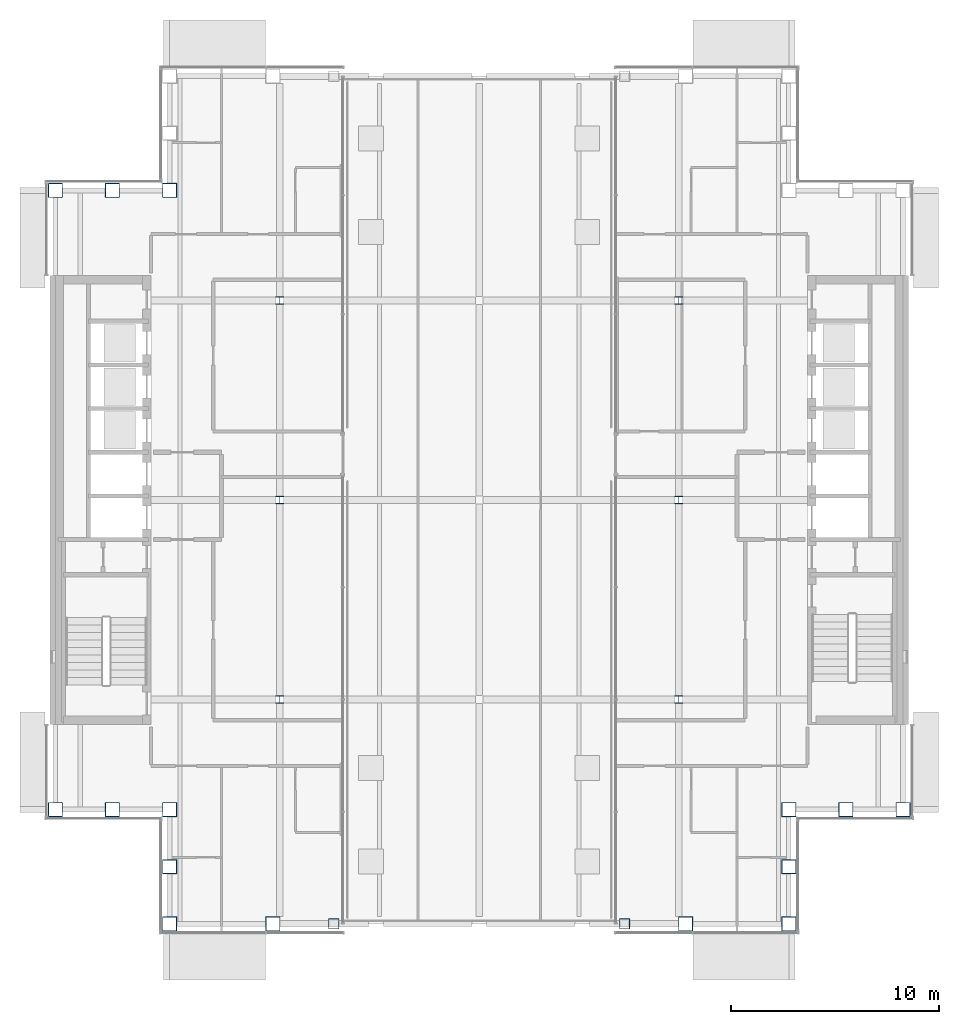
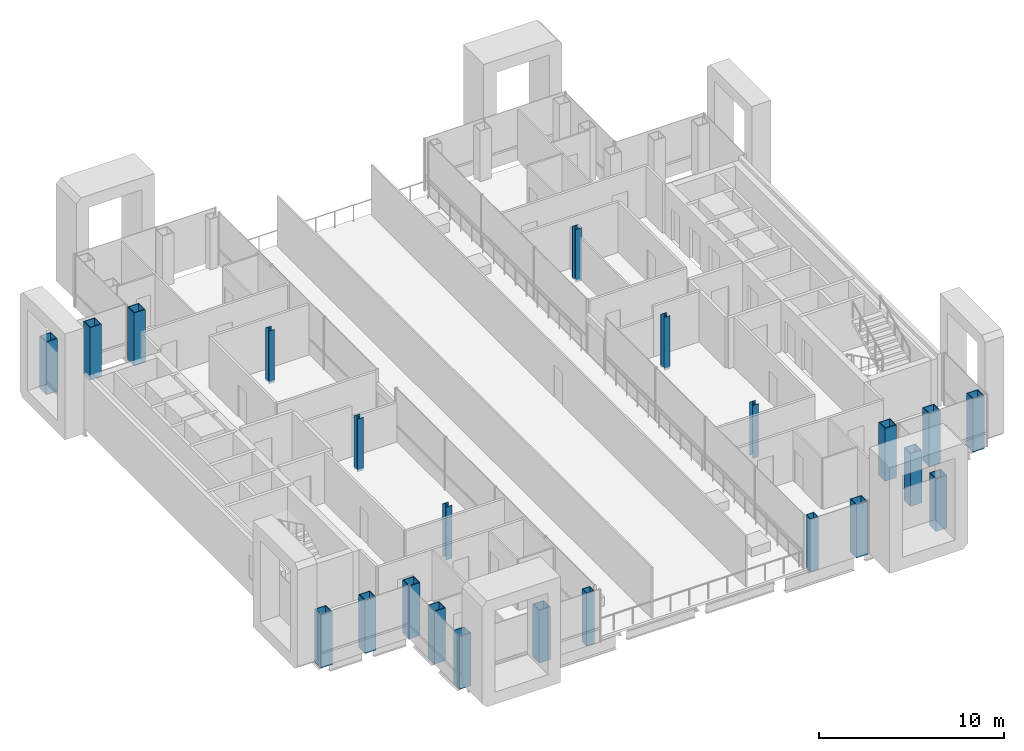
# One storey, part 1 of 17: 23 columns.
"""IFC4 building model written with IfcOpenShell, lengths in metres."""

import ifcopenshell
import ifcopenshell.guid

model = None  # the IFC model being written
_history = None  # IfcOwnerHistory: only IFC2X3 demands one
_inside = {}  # id of a spatial element -> (the spatial element, [elements in it])
_under = {}  # id of a project, library or spatial element -> (it, [spatial elements below it])
_declared = {}  # id of a project -> (the project, [libraries it declares])
_typed = {}  # id of a type object -> (the type object, [elements of that type])
_made_of = {}  # id of a material, layer set ... -> (it, [elements and type objects made of it])


def new_model(schema):
    """Start an empty IFC model of exactly this schema.

    Asked for "IFC4X3", IfcOpenShell would pick the latest addendum, in which some entities
    have other attributes; the version numbers below select the first issue.
    IFC2X3 requires an IfcOwnerHistory on every rooted entity: one is made here for all.
    """
    global model, _history
    if schema == "IFC4X3":
        model = ifcopenshell.file(schema_version=(4, 3, 0, 0))
    else:
        model = ifcopenshell.file(schema=schema)
    _inside.clear()
    _under.clear()
    _declared.clear()
    _typed.clear()
    _made_of.clear()
    _history = None
    if model.schema == "IFC2X3":
        org = make("IfcOrganization", Name="unknown")
        user = make(
            "IfcPersonAndOrganization",
            ThePerson=make("IfcPerson", FamilyName="unknown"),
            TheOrganization=org,
        )
        app = make(
            "IfcApplication",
            ApplicationDeveloper=org,
            Version="unknown",
            ApplicationFullName="unknown",
            ApplicationIdentifier="unknown",
        )
        _history = make(
            "IfcOwnerHistory",
            OwningUser=user,
            OwningApplication=app,
            ChangeAction="ADDED",
            CreationDate=0,
        )
    return model


def make(cls, **values):
    """One entity of the class cls with the attributes given. An attribute that is None is left unset."""
    return model.create_entity(
        cls, **{name: value for name, value in values.items() if value is not None}
    )


def rooted(cls, **values):
    """An entity with a GlobalId (a new one), such as an element, a storey or a relation."""
    return make(cls, GlobalId=ifcopenshell.guid.new(), OwnerHistory=_history, **values)


def si_unit(unit_type, name, prefix=None):
    """IfcSIUnit, for example si_unit("LENGTHUNIT", "METRE", prefix="MILLI")."""
    return make("IfcSIUnit", UnitType=unit_type, Prefix=prefix, Name=name)


def assignment(units):
    """IfcUnitAssignment: the units of a project."""
    return None if units is None else make("IfcUnitAssignment", Units=units)


def point(xyz):
    """IfcCartesianPoint."""
    return None if xyz is None else make("IfcCartesianPoint", Coordinates=xyz)


def direction(xyz):
    """IfcDirection."""
    return None if xyz is None else make("IfcDirection", DirectionRatios=xyz)


def frame(location, z_axis=None, x_axis=None):
    """IfcAxis2Placement3D, a coordinate frame: its origin and axes. An axis left out is left unset."""
    return make(
        "IfcAxis2Placement3D",
        Location=point(location),
        Axis=direction(z_axis),
        RefDirection=direction(x_axis),
    )


def frame_2d(location, x_axis=None):
    """IfcAxis2Placement2D, a coordinate frame in the plane: its origin and x axis."""
    return make(
        "IfcAxis2Placement2D", Location=point(location), RefDirection=direction(x_axis)
    )


def origin():
    """The frame at (0, 0, 0) with its axes left unset."""
    return frame((0.0, 0.0, 0.0))


def origin_2d():
    """The frame at (0, 0) in the plane with its x axis left unset."""
    return frame_2d((0.0, 0.0))


def place(relative_to, where):
    """IfcLocalPlacement: puts the frame where relative to a parent placement (None: the world)."""
    return make(
        "IfcLocalPlacement", PlacementRelTo=relative_to, RelativePlacement=where
    )


def context(
    kind, dimensions, precision=None, world=None, true_north=None, identifier=None
):
    """IfcGeometricRepresentationContext, for example the 3D "Model" context."""
    return make(
        "IfcGeometricRepresentationContext",
        ContextIdentifier=identifier,
        ContextType=kind,
        CoordinateSpaceDimension=dimensions,
        Precision=precision,
        WorldCoordinateSystem=world,
        TrueNorth=true_north,
    )


def subcontext(parent, identifier, kind, view, scale=None):
    """IfcGeometricRepresentationSubContext, for example "Body" below "Model"."""
    return make(
        "IfcGeometricRepresentationSubContext",
        ContextIdentifier=identifier,
        ContextType=kind,
        ParentContext=parent,
        TargetScale=scale,
        TargetView=view,
    )


def project(units=None, contexts=None):
    """IfcProject with its units and contexts."""
    return rooted(
        "IfcProject",
        Name="project",
        RepresentationContexts=contexts,
        UnitsInContext=assignment(units),
    )


def spatial(cls, under=None, at=None, **own):
    """A site, building, storey or space (cls), placed at a placement, below another one or the project."""
    s = rooted(cls, ObjectPlacement=at, **own)
    if under is not None:
        _under.setdefault(under.id(), (under, []))[1].append(s)
    return s


def profile(cls, at=None, kind="AREA", **sizes):
    """A parametric profile (cls). Its sizes go by their IFC names, for example OverallWidth=200.0."""
    return make(cls, ProfileType=kind, Position=at, **sizes)


def hollow_rectangle(**sizes):
    """IfcRectangleHollowProfileDef."""
    return profile("IfcRectangleHollowProfileDef", **sizes)


def i_section(**sizes):
    """IfcIShapeProfileDef."""
    return profile("IfcIShapeProfileDef", **sizes)


def extrude(swept, where, along, depth):
    """IfcExtrudedAreaSolid: the profile swept, set in the frame where, extruded along a direction by depth."""
    return make(
        "IfcExtrudedAreaSolid",
        SweptArea=swept,
        Position=where,
        ExtrudedDirection=direction(along),
        Depth=depth,
    )


def shape(context_of_items, identifier, shape_type, items):
    """IfcShapeRepresentation: the items that make up one representation, for example the "Body"."""
    return make(
        "IfcShapeRepresentation",
        ContextOfItems=context_of_items,
        RepresentationIdentifier=identifier,
        RepresentationType=shape_type,
        Items=items,
    )


def material(Name=None, Category=None):
    """IfcMaterial."""
    return make("IfcMaterial", Name=Name, Category=Category)


def material_profile(
    of_material, cross_section, Name=None, Category=None, Priority=None
):
    """IfcMaterialProfile: a cross section and its material."""
    return make(
        "IfcMaterialProfile",
        Name=Name,
        Material=of_material,
        Profile=cross_section,
        Priority=Priority,
        Category=Category,
    )


def profile_set(profiles, Name=None, composite=None):
    """IfcMaterialProfileSet."""
    return make(
        "IfcMaterialProfileSet",
        Name=Name,
        MaterialProfiles=profiles,
        CompositeProfile=composite,
    )


def made_of(thing, what):
    """Note that an element or type object is made of a material, layer set ...; save() writes the relation."""
    if what is not None:
        _made_of.setdefault(what.id(), (what, []))[1].append(thing)
    return thing


def type_object(cls, material=None, **own):
    """A type object (cls), such as IfcWallType, which elements share."""
    return made_of(rooted(cls, **own), material)


def element(
    cls,
    number,
    at=None,
    inside=None,
    cuts=None,
    type_object=None,
    material=None,
    context=None,
    identifier="Body",
    shape_type=None,
    held_by="IfcProductDefinitionShape",
    body=None,
    shapes=None,
    **own,
):
    """One element of the class cls, such as IfcWall. Its Tag is "e" and its number.

    at: its placement. inside: the storey or other place that contains it. cuts: it is an
    opening in that element (IfcRelVoidsElement). A single representation is given by context,
    identifier, shape_type and body (its items); several are given by shapes. held_by: the class
    of the entity that holds the representations. save() writes the other relations.
    """
    e = rooted(cls, Tag="e%d" % number, ObjectPlacement=at, **own)
    if body is not None:
        shapes = [shape(context, identifier, shape_type, body)]
    if shapes is not None:
        e.Representation = make(held_by, Representations=shapes)
    if inside is not None:
        _inside.setdefault(inside.id(), (inside, []))[1].append(e)
    if cuts is not None:
        rooted(
            "IfcRelVoidsElement", RelatingBuildingElement=cuts, RelatedOpeningElement=e
        )
    if type_object is not None:
        _typed.setdefault(type_object.id(), (type_object, []))[1].append(e)
    return made_of(e, material)


def aggregate(whole, parts):
    """IfcRelAggregates: a whole, such as a stair, and the parts it consists of."""
    return rooted("IfcRelAggregates", RelatingObject=whole, RelatedObjects=parts)


def save(model, path):
    """Write the relations noted so far, then the file.

    IfcRelAggregates (storeys below a building ...), IfcRelContainedInSpatialStructure (elements
    in a storey), IfcRelDefinesByType, IfcRelAssociatesMaterial and IfcRelDeclares: one each for
    every whole, place, type object, material and project.
    """
    for whole, parts in _under.values():
        aggregate(whole, parts)
    for where, things in _inside.values():
        rooted(
            "IfcRelContainedInSpatialStructure",
            RelatedElements=things,
            RelatingStructure=where,
        )
    for kind, things in _typed.values():
        rooted("IfcRelDefinesByType", RelatedObjects=things, RelatingType=kind)
    for what, things in _made_of.values():
        rooted("IfcRelAssociatesMaterial", RelatedObjects=things, RelatingMaterial=what)
    for by, libraries in _declared.values():
        rooted("IfcRelDeclares", RelatingContext=by, RelatedDefinitions=libraries)
    model.write(path)


model = new_model("IFC4")

# Units and contexts
model_context = context("Model", 3, precision=1e-05, world=origin(), true_north=direction((0.0, 1.0)))
body_context = subcontext(model_context, "Body", "Model", "MODEL_VIEW")
ifc_project = project(units=[si_unit("LENGTHUNIT", "METRE"), si_unit("AREAUNIT", "SQUARE_METRE"), si_unit("VOLUMEUNIT", "CUBIC_METRE"), si_unit("PLANEANGLEUNIT", "RADIAN"), si_unit("MASSUNIT", "GRAM", prefix="KILO")], contexts=[model_context])

# Site, building, storey
site_placement = place(None, origin())
site = spatial("IfcSite", under=ifc_project, at=site_placement, CompositionType="ELEMENT")
building_placement = place(site_placement, origin())
building = spatial("IfcBuilding", under=site, at=building_placement, Name="Cobrizo Arcos Hotel Tower", CompositionType="ELEMENT")
storey_placement = place(building_placement, frame((0.0, 0.0, 219.0)))
storey = spatial("IfcBuildingStorey", under=building, at=storey_placement, Name="L57", CompositionType="ELEMENT", Elevation=219.0)

# Columns
ifc_material_1 = material(Name="Steel ASTM A572 Grade 50", Category="steel")
ifc_material_profile_1 = material_profile(ifc_material_1, hollow_rectangle(XDim=0.5, YDim=0.5, WallThickness=0.030029296875, at=origin_2d()), Name="BOX 500X500X30")
ifc_profile_set_1 = profile_set([ifc_material_profile_1], Name="Steel ASTM A572 Grade 50")
column_type_1 = type_object("IfcColumnType", Name="BOX 500X500X30 column", PredefinedType="COLUMN", material=ifc_profile_set_1)
for number, where, z_axis, x_axis, name in (
    (1, (-7.0, -20.39990234375, -0.14990234375), (0.0, 0.0, 1.0), (1.0, 0.0, 0.0), "Perimeter column C11, L57, no. 25"),
    (2, (7.0, -20.39990234375, -0.14990234375), (0.0, 0.0, 1.0), (1.0, 0.0, 0.0), "Perimeter column C11, L57, no. 27"),
):
    element("IfcColumn", number, at=place(storey_placement, frame(where, z_axis=z_axis, x_axis=x_axis)), inside=storey, type_object=column_type_1, Name=name, PredefinedType="COLUMN", context=body_context, shape_type="SweptSolid", body=[
        extrude(hollow_rectangle(XDim=0.5, YDim=0.5, WallThickness=0.030029296875, at=origin_2d()), origin(), (0.0, 0.0, 1.0), 3.5),
    ])
ifc_material_profile_2 = material_profile(ifc_material_1, hollow_rectangle(XDim=0.699951171875, YDim=0.699951171875, WallThickness=0.0400390625, at=origin_2d()), Name="BOX 700X700X40")
ifc_profile_set_2 = profile_set([ifc_material_profile_2], Name="Steel ASTM A572 Grade 50")
column_type_2 = type_object("IfcColumnType", Name="BOX 700X700X40 column", PredefinedType="COLUMN", material=ifc_profile_set_2)
for number, where, z_axis, x_axis, name in (
    (3, (-14.89990234375, -20.39990234375, -0.14990234375), (0.0, 0.0, 1.0), (1.0, 0.0, 0.0), "Perimeter column C10, L57, no. 01"),
    (4, (-9.93310546875, -20.39990234375, -0.14990234375), (0.0, 0.0, 1.0), (1.0, 0.0, 0.0), "Perimeter column C10, L57, no. 03"),
    (5, (9.93310546875, -20.39990234375, -0.14990234375), (0.0, 0.0, 1.0), (1.0, 0.0, 0.0), "Perimeter column C10, L57, no. 05"),
    (6, (14.89990234375, -20.39990234375, -0.14990234375), (0.0, 0.0, 1.0), (1.0, 0.0, 0.0), "Perimeter column C10, L57, no. 07"),
    (7, (20.39990234375, -14.89990234375, -0.14990234375), (0.0, 0.0, 1.0), (1.0, 0.0, 0.0), "Perimeter column C10, L57, no. 08"),
    (8, (-20.39990234375, -14.89990234375, -0.14990234375), (0.0, 0.0, 1.0), (1.0, 0.0, 0.0), "Perimeter column C10, L57, no. 09"),
    (9, (-20.39990234375, 14.89990234375, -0.14990234375), (0.0, 0.0, 1.0), (1.0, 0.0, 0.0), "Perimeter column C10, L57, no. 11"),
    (10, (-14.89990234375, -14.89990234375, -0.14990234375), (0.0, 0.0, 1.0), (1.0, 0.0, 0.0), "Perimeter column C10, L57, no. 12"),
    (11, (-14.89990234375, -17.64990234375, -0.14990234375), (0.0, 0.0, 1.0), (1.0, 0.0, 0.0), "Perimeter column C10, L57, no. 13"),
    (12, (-17.64990234375, -14.89990234375, -0.14990234375), (0.0, 0.0, 1.0), (1.0, 0.0, 0.0), "Perimeter column C10, L57, no. 14"),
    (13, (-14.89990234375, 14.89990234375, -0.14990234375), (0.0, 0.0, 1.0), (1.0, 0.0, 0.0), "Perimeter column C10, L57, no. 15"),
    (14, (-17.64990234375, 14.89990234375, -0.14990234375), (0.0, 0.0, 1.0), (1.0, 0.0, 0.0), "Perimeter column C10, L57, no. 17"),
    (15, (14.89990234375, -14.89990234375, -0.14990234375), (0.0, 0.0, 1.0), (1.0, 0.0, 0.0), "Perimeter column C10, L57, no. 18"),
    (16, (14.89990234375, -17.64990234375, -0.14990234375), (0.0, 0.0, 1.0), (1.0, 0.0, 0.0), "Perimeter column C10, L57, no. 19"),
    (17, (17.64990234375, -14.89990234375, -0.14990234375), (0.0, 0.0, 1.0), (1.0, 0.0, 0.0), "Perimeter column C10, L57, no. 20"),
):
    element("IfcColumn", number, at=place(storey_placement, frame(where, z_axis=z_axis, x_axis=x_axis)), inside=storey, type_object=column_type_2, Name=name, PredefinedType="COLUMN", context=body_context, shape_type="SweptSolid", body=[
        extrude(hollow_rectangle(XDim=0.699951171875, YDim=0.699951171875, WallThickness=0.0400390625, at=origin_2d()), origin(), (0.0, 0.0, 1.0), 3.5),
    ])
ifc_material_2 = material(Name="Steel ASTM A992 Grade 50", Category="steel")
ifc_material_profile_3 = material_profile(ifc_material_2, i_section(OverallWidth=0.373291015625, OverallDepth=0.373291015625, WebThickness=0.016357421875, FlangeThickness=0.026123046875, at=origin_2d()), Name="W14X132")
ifc_profile_set_3 = profile_set([ifc_material_profile_3], Name="Steel ASTM A992 Grade 50")
column_type_3 = type_object("IfcColumnType", Name="W14X132 interior column", PredefinedType="COLUMN", material=ifc_profile_set_3)
for number, where, z_axis, x_axis, name in (
    (18, (-9.60009765625, -9.60009765625, -0.14990234375), (0.0, 0.0, 1.0), (1.0, 0.0, 0.0), "Interior column C9, L57, no. 00"),
    (19, (-9.60009765625, 0.0, -0.14990234375), (0.0, 0.0, 1.0), (1.0, 0.0, 0.0), "Interior column C9, L57, no. 01"),
    (20, (-9.60009765625, 9.60009765625, -0.14990234375), (0.0, 0.0, 1.0), (1.0, 0.0, 0.0), "Interior column C9, L57, no. 02"),
    (21, (9.60009765625, -9.60009765625, -0.14990234375), (0.0, 0.0, 1.0), (1.0, 0.0, 0.0), "Interior column C9, L57, no. 03"),
    (22, (9.60009765625, 0.0, -0.14990234375), (0.0, 0.0, 1.0), (1.0, 0.0, 0.0), "Interior column C9, L57, no. 04"),
    (23, (9.60009765625, 9.60009765625, -0.14990234375), (0.0, 0.0, 1.0), (1.0, 0.0, 0.0), "Interior column C9, L57, no. 05"),
):
    element("IfcColumn", number, at=place(storey_placement, frame(where, z_axis=z_axis, x_axis=x_axis)), inside=storey, type_object=column_type_3, Name=name, PredefinedType="COLUMN", context=body_context, shape_type="SweptSolid", body=[
        extrude(i_section(OverallWidth=0.373291015625, OverallDepth=0.373291015625, WebThickness=0.016357421875, FlangeThickness=0.026123046875, at=origin_2d()), origin(), (0.0, 0.0, 1.0), 3.5),
    ])

save(model, "model.ifc")
